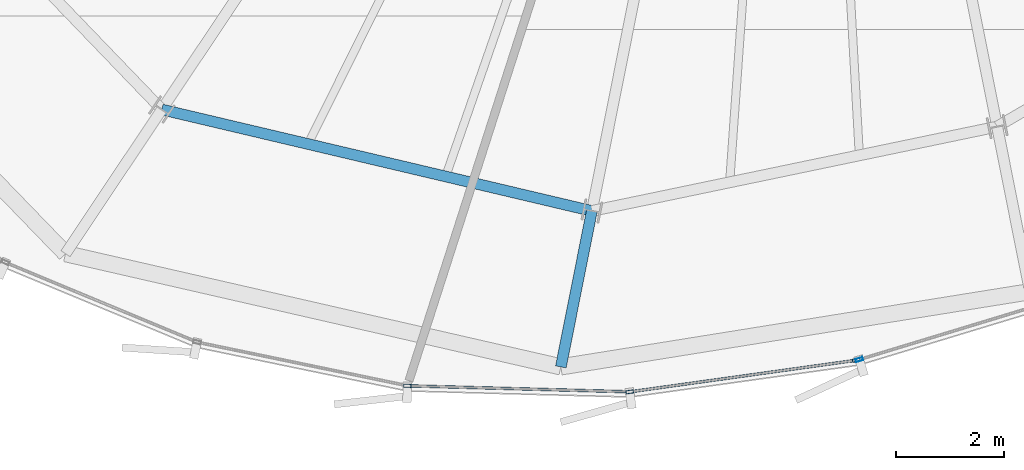
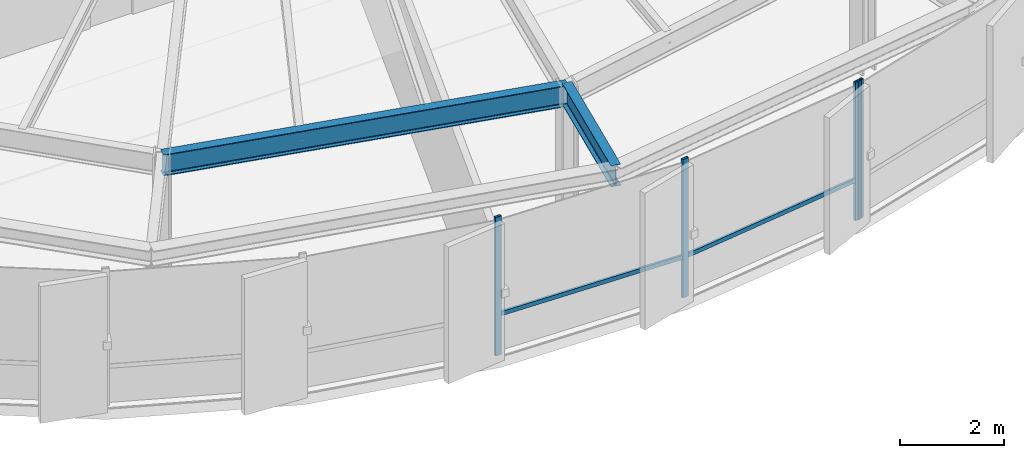
# One storey, part 6 of 34: 6 members, 2 beams, 2 elements without a shape of their own.
"""IFC4 building model written with IfcOpenShell, lengths in metres."""

from ifc_helpers import new_model, si_unit, direction, frame, origin, origin_2d, place, context, subcontext, project, spatial, hollow_rectangle, i_section, extrude, source, transform, mapped, material, layer, layer_set, material_profile, profile_set, type_object, element, aggregate, save


model = new_model("IFC4")

# Units and contexts
model_context = context("Model", 3, precision=1e-05, world=origin(), true_north=direction((0.0, 1.0)))
body_context = subcontext(model_context, "Body", "Model", "MODEL_VIEW")
ifc_project = project(units=[si_unit("LENGTHUNIT", "METRE"), si_unit("AREAUNIT", "SQUARE_METRE"), si_unit("VOLUMEUNIT", "CUBIC_METRE"), si_unit("PLANEANGLEUNIT", "RADIAN"), si_unit("MASSUNIT", "GRAM", prefix="KILO"), si_unit("THERMODYNAMICTEMPERATUREUNIT", "KELVIN")], contexts=[model_context])

# Site, building, storey
site_placement = place(None, origin())
site = spatial("IfcSite", under=ifc_project, at=site_placement, CompositionType="ELEMENT")
building_placement = place(site_placement, origin())
building = spatial("IfcBuilding", under=site, at=building_placement, Name="Kethvar Cultural Tower", CompositionType="ELEMENT")
storey_placement = place(building_placement, frame((0.0, 0.0, 186.89990234375)))
storey = spatial("IfcBuildingStorey", under=building, at=storey_placement, Name="L48", CompositionType="ELEMENT", Elevation=186.89990234375)

# Beams
ifc_material_1 = material(Name="Steel S355J2", Category="steel")
ifc_material_profile_1 = material_profile(ifc_material_1, i_section(OverallWidth=0.199951171875, OverallDepth=0.5, WebThickness=0.01025390625, FlangeThickness=0.01611328125, FilletRadius=0.02099609375, at=origin_2d()), Name="Steel S355J2 — IPE500")
ifc_profile_set_1 = profile_set([ifc_material_profile_1], Name="Steel S355J2 — IPE500")
beam_type = type_object("IfcBeamType", Name="BM-IPE500", PredefinedType="BEAM", material=ifc_profile_set_1)
shared_shape_1 = source(origin(), body_context, "Body", "SweptSolid", [
    extrude(i_section(OverallWidth=0.199951171875, OverallDepth=0.5, WebThickness=0.01025390625, FlangeThickness=0.01611328125, FilletRadius=0.02099609375, at=origin_2d()), origin(), (0.0, 0.0, 1.0), 8.158935546875),
])
beam_1_placement = place(storey_placement, frame((34.962646484375, 10.084228515625, 3.008056640625), z_axis=(0.973284754953, -0.229601362748, 0.0), x_axis=(0.229601362748, 0.973284754953, 0.0)))
element("IfcBeam", 1, at=beam_1_placement, inside=storey, type_object=beam_type, Name="L48 Column Ring Tie Beam CR-11", PredefinedType="BEAM", context=body_context, shape_type="MappedRepresentation", body=[
    mapped(shared_shape_1, transform((0.0, 0.0, 0.0), scale=1.0)),
])
shared_shape_2 = source(origin(), body_context, "Body", "SweptSolid", [
    extrude(i_section(OverallWidth=0.199951171875, OverallDepth=0.5, WebThickness=0.01025390625, FlangeThickness=0.01611328125, FilletRadius=0.02099609375, at=origin_2d()), origin(), (0.0, 0.0, 1.0), 2.93505859375),
])
beam_2_placement = place(storey_placement, frame((42.903564453125, 8.2109375, 3.008056640625), z_axis=(-0.195140272693, -0.980775343274, 0.0), x_axis=(0.980775343274, -0.195140272693, 0.0)))
element("IfcBeam", 2, at=beam_2_placement, inside=storey, type_object=beam_type, Name="L48 Perimeter Cantilever Beam RC-12", PredefinedType="BEAM", context=body_context, shape_type="MappedRepresentation", body=[
    mapped(shared_shape_2, transform((0.0, 0.0, 0.0), scale=1.0)),
])

# Curtain wall, members
ifc_material_2 = material(Name="Aluminium 6063-T6", Category="aluminium")
ifc_layer = layer(ifc_material_2, 0.179931640625, Name="Aluminium 6063-T6", Category="aluminium")
ifc_layer_set = layer_set([ifc_layer], Name="Aluminium 6063-T6 (180 mm)")
curtain_wall_type = type_object("IfcCurtainWallType", Name="CW-SYS-04-Z34", PredefinedType="NOTDEFINED", material=ifc_layer_set)
curtain_wall_1_placement = place(storey_placement, origin())
curtain_wall_1 = element("IfcCurtainWall", 3, at=curtain_wall_1_placement, inside=storey, type_object=curtain_wall_type, Name="L48 Curtain Wall Run 04", PredefinedType="NOTDEFINED")
ifc_material_profile_2 = material_profile(ifc_material_2, hollow_rectangle(XDim=0.06005859375, YDim=0.139892578125, WallThickness=0.0048828125, at=origin_2d()), Name="Aluminium 6063-T6 — RHS140x60x5")
ifc_profile_set_2 = profile_set([ifc_material_profile_2], Name="Aluminium 6063-T6 — RHS140x60x5")
member_type_1 = type_object("IfcMemberType", Name="CW-SYS-04-Z34-MUL", PredefinedType="MULLION", material=ifc_profile_set_2)
shared_shape_3 = source(origin(), body_context, "Body", "SweptSolid", [
    extrude(hollow_rectangle(XDim=0.06005859375, YDim=0.139892578125, WallThickness=0.0048828125, at=origin_2d()), origin(), (0.0, 0.0, 1.0), 3.260009765625),
])
member_1_placement = place(storey_placement, frame((39.49609375, 4.98291015625, 0.0), z_axis=(0.0, 0.0, 1.0), x_axis=(0.026927175269, 0.999637397876, 0.0)))
member_1 = element("IfcMember", 4, at=member_1_placement, type_object=member_type_1, Name="CW-L48-R04 Mullion 5", PredefinedType="MULLION", context=body_context, shape_type="MappedRepresentation", body=[
    mapped(shared_shape_3, transform((0.0, 0.0, 0.0), scale=1.0)),
])
member_2_placement = place(storey_placement, frame((43.601318359375, 4.87060546875, 0.0), z_axis=(0.0, 0.0, 1.0), x_axis=(-0.138187876271, 0.990406033328, 0.0)))
member_2 = element("IfcMember", 5, at=member_2_placement, type_object=member_type_1, Name="CW-L48-R04 Mullion 6", PredefinedType="MULLION", context=body_context, shape_type="MappedRepresentation", body=[
    mapped(shared_shape_3, transform((0.0, 0.0, 0.0), scale=1.0)),
])
member_3_placement = place(storey_placement, frame((47.78271484375, 5.4541015625, 0.0), z_axis=(0.0, 0.0, 1.0), x_axis=(-0.138187876271, 0.990406033328, 0.0)))
member_3 = element("IfcMember", 6, at=member_3_placement, type_object=member_type_1, Name="CW-L48-R04 Mullion 7", PredefinedType="MULLION", context=body_context, shape_type="MappedRepresentation", body=[
    mapped(shared_shape_3, transform((0.0, 0.0, 0.0), scale=1.0)),
])

# Curtain wall, member
curtain_wall_2_placement = place(storey_placement, origin())
curtain_wall_2 = element("IfcCurtainWall", 7, at=curtain_wall_2_placement, inside=storey, type_object=curtain_wall_type, Name="L48 Curtain Wall Run 05", PredefinedType="NOTDEFINED")
member_4_placement = place(storey_placement, frame((47.842041015625, 5.467041015625, 0.0), z_axis=(0.0, 0.0, 1.0), x_axis=(-0.290368184947, 0.956914999972, 0.0)))
member_4 = element("IfcMember", 8, at=member_4_placement, type_object=member_type_1, Name="CW-L48-R05 Mullion 1", PredefinedType="MULLION", context=body_context, shape_type="MappedRepresentation", body=[
    mapped(shared_shape_3, transform((0.0, 0.0, 0.0), scale=1.0)),
])
aggregate(curtain_wall_2, [member_4])

# Member
ifc_material_profile_3 = material_profile(ifc_material_2, hollow_rectangle(XDim=0.050048828125, YDim=0.10009765625, WallThickness=0.00390625, at=origin_2d()), Name="Aluminium 6063-T6 — RHS100x50x4")
ifc_profile_set_3 = profile_set([ifc_material_profile_3], Name="Aluminium 6063-T6 — RHS100x50x4")
member_type_2 = type_object("IfcMemberType", Name="CW-SYS-04-Z34-TRN", PredefinedType="USERDEFINED", material=ifc_profile_set_3)
shared_shape_4 = source(origin(), body_context, "Body", "SweptSolid", [
    extrude(hollow_rectangle(XDim=0.050048828125, YDim=0.10009765625, WallThickness=0.00390625, at=origin_2d()), origin(), (0.0, 0.0, 1.0), 4.174560546875),
])
member_5_placement = place(storey_placement, frame((43.64404296875, 4.876708984375, 0.9501953125), z_axis=(0.990405081517, 0.138194697822, 0.0), x_axis=(-0.138194697822, 0.990405081517, 0.0)))
member_5 = element("IfcMember", 9, at=member_5_placement, type_object=member_type_2, Name="CW-L48-R04 Transom 6", ObjectType="TRANSOM", PredefinedType="USERDEFINED", context=body_context, shape_type="MappedRepresentation", body=[
    mapped(shared_shape_4, transform((0.0, 0.0, 0.0), scale=1.0)),
])

shared_shape_5 = source(origin(), body_context, "Body", "SweptSolid", [
    extrude(hollow_rectangle(XDim=0.050048828125, YDim=0.10009765625, WallThickness=0.00390625, at=origin_2d()), origin(), (0.0, 0.0, 1.0), 4.03857421875),
])
member_6_placement = place(storey_placement, frame((39.539306640625, 4.981689453125, 0.9501953125), z_axis=(0.999636468604, -0.026961651246, 0.0), x_axis=(0.026961651246, 0.999636468604, 0.0)))
member_6 = element("IfcMember", 10, at=member_6_placement, type_object=member_type_2, Name="CW-L48-R04 Transom 5", ObjectType="TRANSOM", PredefinedType="USERDEFINED", context=body_context, shape_type="MappedRepresentation", body=[
    mapped(shared_shape_5, transform((0.0, 0.0, 0.0), scale=1.0)),
])

aggregate(curtain_wall_1, [member_1, member_2, member_3, member_6, member_5])

save(model, "model.ifc")
